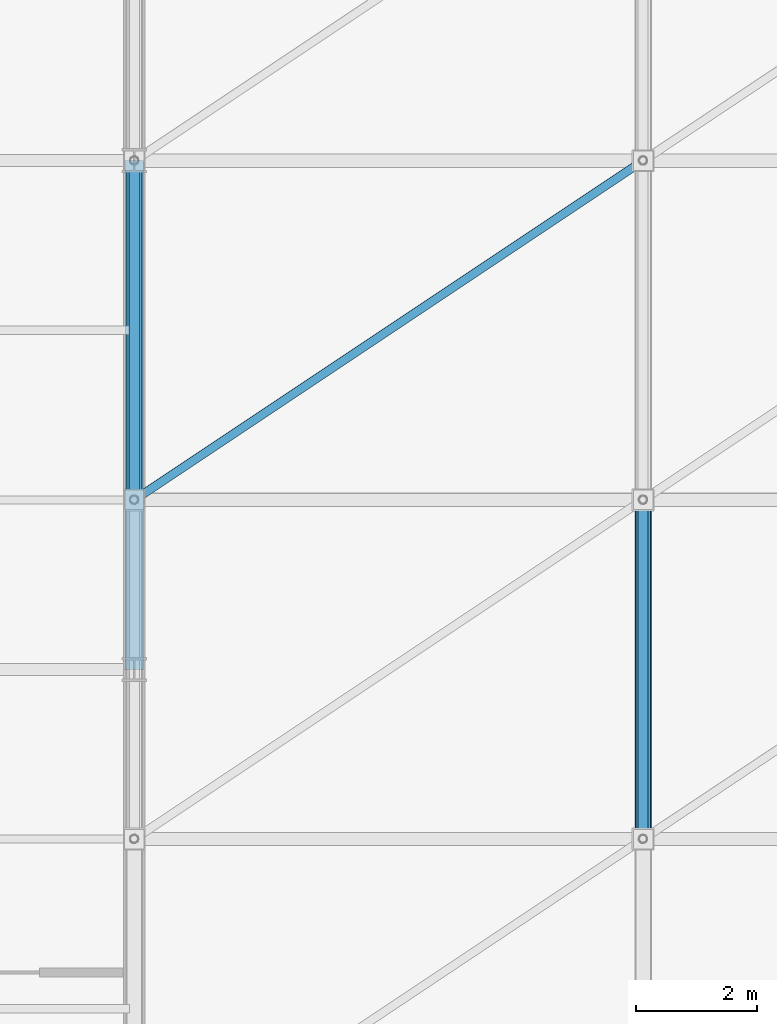
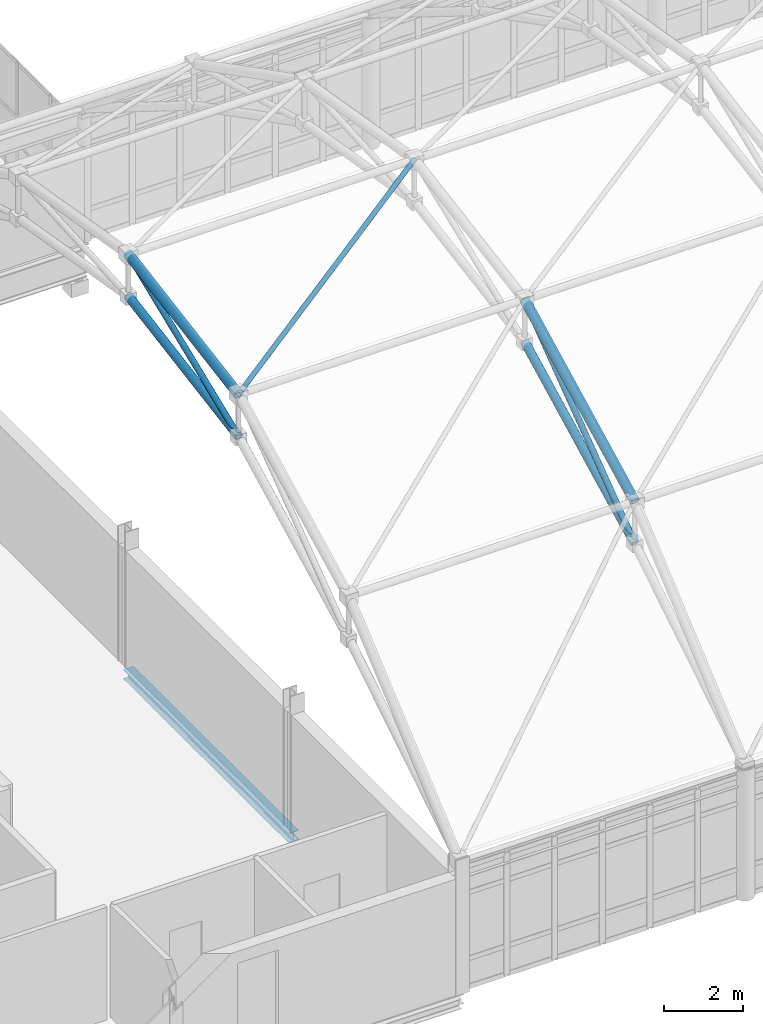
# One storey, part 36 of 184: 7 members, 1 beam.
"""IFC4 building model written with IfcOpenShell, lengths in metres."""

from ifc_helpers import new_model, si_unit, direction, frame, origin, origin_2d, place, context, subcontext, project, spatial, hollow_circle, i_section, extrude, material, material_profile, profile_set, type_object, element, save


model = new_model("IFC4")

# Units and contexts
model_context = context("Model", 3, precision=1e-05, world=origin(), true_north=direction((0.0, 1.0)))
body_context = subcontext(model_context, "Body", "Model", "MODEL_VIEW")
ifc_project = project(units=[si_unit("LENGTHUNIT", "METRE"), si_unit("AREAUNIT", "SQUARE_METRE"), si_unit("VOLUMEUNIT", "CUBIC_METRE"), si_unit("PLANEANGLEUNIT", "RADIAN"), si_unit("MASSUNIT", "GRAM", prefix="KILO")], contexts=[model_context])

# Site, building, storey
site_placement = place(None, origin())
site = spatial("IfcSite", under=ifc_project, at=site_placement, CompositionType="ELEMENT")
building_placement = place(site_placement, origin())
building = spatial("IfcBuilding", under=site, at=building_placement, Name="Qalvenar Corner Mobility Hub", CompositionType="ELEMENT")
storey_placement = place(building_placement, frame((0.0, 0.0, 9.0)))
storey = spatial("IfcBuildingStorey", under=building, at=storey_placement, Name="L02", CompositionType="ELEMENT", Elevation=9.0)

# Beam
ifc_material_1 = material(Name="Steel S355", Category="steel")
ifc_material_profile_1 = material_profile(ifc_material_1, i_section(OverallWidth=0.300048828125, OverallDepth=0.2900390625, WebThickness=0.008544921875, FlangeThickness=0.013916015625, FilletRadius=0.027099609375, at=origin_2d()), Name="HEA300")
ifc_profile_set_1 = profile_set([ifc_material_profile_1], Name="Steel S355")
beam_type = type_object("IfcBeamType", Name="BM-SPN300", PredefinedType="SPANDREL", material=ifc_profile_set_1)
beam_placement = place(storey_placement, frame((50.39990234375, 8.39990234375, -0.324951171875), z_axis=(0.0, 1.0, 0.0), x_axis=(-1.0, 0.0, 0.0)))
element("IfcBeam", 1, at=beam_placement, inside=storey, type_object=beam_type, Name="Primary Steel Girder GY-1608", PredefinedType="SPANDREL", context=body_context, shape_type="SweptSolid", body=[
    extrude(i_section(OverallWidth=0.300048828125, OverallDepth=0.2900390625, WebThickness=0.008544921875, FlangeThickness=0.013916015625, FilletRadius=0.027099609375, at=origin_2d()), origin(), (0.0, 0.0, 1.0), 8.400146484375),
])

# Members
ifc_material_2 = material(Name="Steel S355", Category="steel")
ifc_material_profile_2 = material_profile(ifc_material_2, hollow_circle(Radius=0.122314453125, WallThickness=0.0087890625, at=origin_2d()), Name="CHS244.5x8.8")
ifc_profile_set_2 = profile_set([ifc_material_profile_2], Name="Steel S355")
member_type_1 = type_object("IfcMemberType", Name="SF-CHD244", PredefinedType="CHORD", material=ifc_profile_set_2)
member_1_placement = place(storey_placement, frame((50.39990234375, 11.199951171875, 10.404296875), z_axis=(0.0, 0.985745292256, 0.168244520847), x_axis=(-1.0, 0.0, 0.0)))
element("IfcMember", 2, at=member_1_placement, inside=storey, type_object=member_type_1, Name="Space Frame Bottom Chord SFBC-0007", PredefinedType="CHORD", context=body_context, shape_type="SweptSolid", body=[
    extrude(hollow_circle(Radius=0.122314453125, WallThickness=0.0087890625, at=origin_2d()), origin(), (0.0, 0.0, 1.0), 5.68115234375),
])
member_2_placement = place(storey_placement, frame((58.800048828125, 5.60009765625, 7.537841796875), z_axis=(0.0, 0.890157020212, 0.455653903052), x_axis=(-1.0, 0.0, 0.0)))
element("IfcMember", 3, at=member_2_placement, inside=storey, type_object=member_type_1, Name="Space Frame Bottom Chord SFBC-0025", PredefinedType="CHORD", context=body_context, shape_type="SweptSolid", body=[
    extrude(hollow_circle(Radius=0.122314453125, WallThickness=0.0087890625, at=origin_2d()), origin(), (0.0, 0.0, 1.0), 6.290771484375),
])
ifc_material_profile_3 = material_profile(ifc_material_2, hollow_circle(Radius=0.136474609375, WallThickness=0.010009765625, at=origin_2d()), Name="CHS273x10")
ifc_profile_set_3 = profile_set([ifc_material_profile_3], Name="Steel S355")
member_type_2 = type_object("IfcMemberType", Name="SF-CHD273", PredefinedType="CHORD", material=ifc_profile_set_3)
member_3_placement = place(storey_placement, frame((50.39990234375, 11.199951171875, 11.704345703125), z_axis=(0.0, 0.985752418555, 0.1682027625), x_axis=(-1.0, 0.0, 0.0)))
element("IfcMember", 4, at=member_3_placement, inside=storey, type_object=member_type_2, Name="Space Frame Top Chord SFTC-0006", PredefinedType="CHORD", context=body_context, shape_type="SweptSolid", body=[
    extrude(hollow_circle(Radius=0.136474609375, WallThickness=0.010009765625, at=origin_2d()), origin(), (0.0, 0.0, 1.0), 5.68115234375),
])
member_4_placement = place(storey_placement, frame((58.800048828125, 5.60009765625, 8.837890625), z_axis=(0.0, 0.890157020212, 0.455653903052), x_axis=(-1.0, 0.0, 0.0)))
element("IfcMember", 5, at=member_4_placement, inside=storey, type_object=member_type_2, Name="Space Frame Top Chord SFTC-0024", PredefinedType="CHORD", context=body_context, shape_type="SweptSolid", body=[
    extrude(hollow_circle(Radius=0.136474609375, WallThickness=0.010009765625, at=origin_2d()), origin(), (0.0, 0.0, 1.0), 6.290771484375),
])
ifc_material_profile_4 = material_profile(ifc_material_2, hollow_circle(Radius=0.06982421875, WallThickness=0.0048828125, at=origin_2d()), Name="CHS139.7x5")
ifc_profile_set_4 = profile_set([ifc_material_profile_4], Name="Steel S355")
member_type_3 = type_object("IfcMemberType", Name="SF-STR139", PredefinedType="STRUT", material=ifc_profile_set_4)
member_5_placement = place(storey_placement, frame((50.39990234375, 11.199951171875, 11.704345703125), z_axis=(0.828348087902, 0.552232058601, 0.094229500277), x_axis=(-0.554700196225, 0.832050294338, 0.0)))
element("IfcMember", 6, at=member_5_placement, inside=storey, type_object=member_type_3, Name="Space Frame Plan Strut SFP-0176", PredefinedType="STRUT", context=body_context, shape_type="SweptSolid", body=[
    extrude(hollow_circle(Radius=0.06982421875, WallThickness=0.0048828125, at=origin_2d()), origin(), (0.0, 0.0, 1.0), 10.140869140625),
])
ifc_material_profile_5 = material_profile(ifc_material_2, hollow_circle(Radius=0.084228515625, WallThickness=0.00634765625, at=origin_2d()), Name="CHS168.3x6.3")
ifc_profile_set_5 = profile_set([ifc_material_profile_5], Name="Steel S355")
member_type_4 = type_object("IfcMemberType", Name="SF-STR168", PredefinedType="STRUT", material=ifc_profile_set_5)
member_6_placement = place(storey_placement, frame((50.39990234375, 11.199951171875, 10.404296875), z_axis=(0.0, 0.927584374155, 0.37361374282), x_axis=(-1.0, 0.0, 0.0)))
element("IfcMember", 7, at=member_6_placement, inside=storey, type_object=member_type_4, Name="Space Frame Web Strut SFD-0008", PredefinedType="STRUT", context=body_context, shape_type="SweptSolid", body=[
    extrude(hollow_circle(Radius=0.084228515625, WallThickness=0.00634765625, at=origin_2d()), origin(), (0.0, 0.0, 1.0), 6.037353515625),
])
member_7_placement = place(storey_placement, frame((58.800048828125, 5.60009765625, 7.537841796875), z_axis=(0.0, 0.802290097952, 0.596934333682), x_axis=(-1.0, 0.0, 0.0)))
element("IfcMember", 8, at=member_7_placement, inside=storey, type_object=member_type_4, Name="Space Frame Web Strut SFD-0026", PredefinedType="STRUT", context=body_context, shape_type="SweptSolid", body=[
    extrude(hollow_circle(Radius=0.084228515625, WallThickness=0.00634765625, at=origin_2d()), origin(), (0.0, 0.0, 1.0), 6.979736328125),
])

save(model, "model.ifc")
